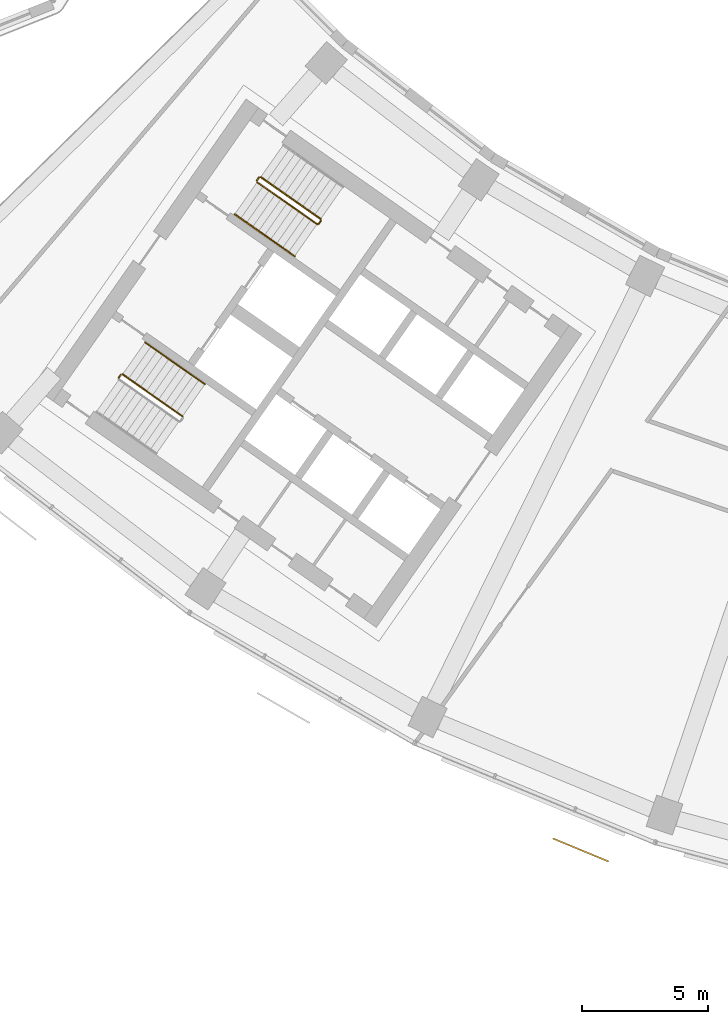
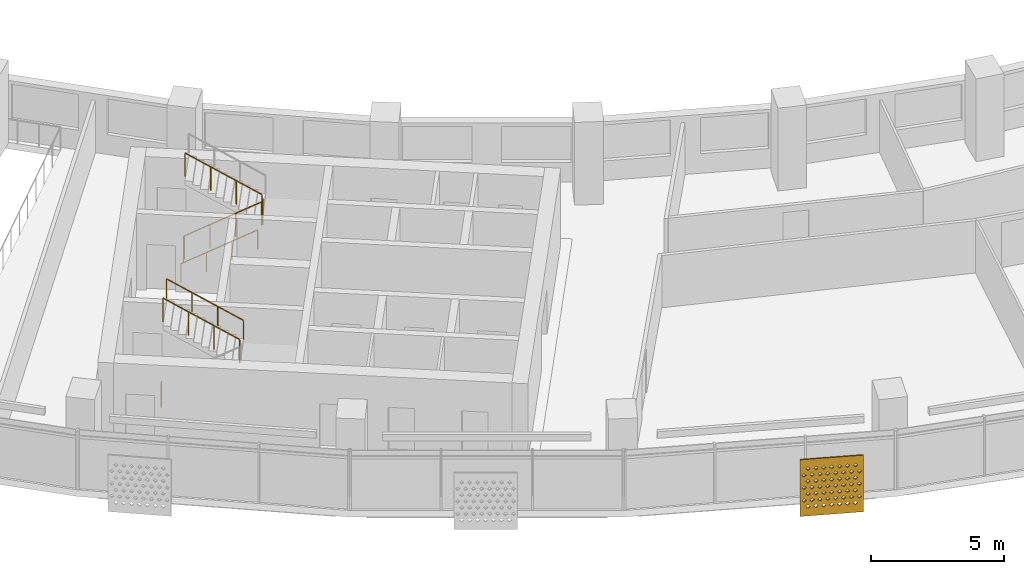
# One storey, part 22 of 27: 7 railings, 1 shading device.
"""IFC4 building model written with IfcOpenShell, lengths in metres."""

from ifc_helpers import new_model, si_unit, direction, frame, origin, origin_2d, place, context, subcontext, project, spatial, polyline, circle, outline, extrude, material, material_profile, profile_set, type_object, element, save


model = new_model("IFC4")

# Units and contexts
model_context = context("Model", 3, precision=1e-05, world=origin(), true_north=direction((0.0, 1.0)))
body_context = subcontext(model_context, "Body", "Model", "MODEL_VIEW")
ifc_project = project(units=[si_unit("LENGTHUNIT", "METRE"), si_unit("AREAUNIT", "SQUARE_METRE"), si_unit("VOLUMEUNIT", "CUBIC_METRE"), si_unit("PLANEANGLEUNIT", "RADIAN"), si_unit("MASSUNIT", "GRAM", prefix="KILO")], contexts=[model_context])

# Site, building, storey
site_placement = place(None, origin())
site = spatial("IfcSite", under=ifc_project, at=site_placement, CompositionType="ELEMENT")
building_placement = place(site_placement, origin())
building = spatial("IfcBuilding", under=site, at=building_placement, Name="Qamariyya Broadcast Tower", CompositionType="ELEMENT")
storey_placement = place(building_placement, frame((0.0, 0.0, 153.10009765625)))
storey = spatial("IfcBuildingStorey", under=building, at=storey_placement, Name="L35", CompositionType="ELEMENT", Elevation=153.10009765625)

# Shading device
ifc_material_1 = material(Name="Perforated glazed terracotta", Category="masonry")
ifc_material_profile = material_profile(ifc_material_1, outline(polyline([(-1.199951171875, -1.300048828125), (1.199951171875, -1.300048828125), (1.199951171875, 1.300048828125), (-1.199951171875, 1.300048828125), (-1.199951171875, -1.300048828125)]), holes=[polyline([(-0.81494140625, -0.86669921875), (-0.89990234375, -0.78173828125), (-0.985107421875, -0.86669921875), (-0.89990234375, -0.95166015625), (-0.81494140625, -0.86669921875)]), polyline([(-0.514892578125, -0.86669921875), (-0.60009765625, -0.78173828125), (-0.68505859375, -0.86669921875), (-0.60009765625, -0.95166015625), (-0.514892578125, -0.86669921875)]), polyline([(-0.215087890625, -0.86669921875), (-0.300048828125, -0.78173828125), (-0.385009765625, -0.86669921875), (-0.300048828125, -0.95166015625), (-0.215087890625, -0.86669921875)]), polyline([(0.0849609375, -0.86669921875), (0.0, -0.78173828125), (-0.0849609375, -0.86669921875), (0.0, -0.95166015625), (0.0849609375, -0.86669921875)]), polyline([(0.385009765625, -0.86669921875), (0.300048828125, -0.78173828125), (0.215087890625, -0.86669921875), (0.300048828125, -0.95166015625), (0.385009765625, -0.86669921875)]), polyline([(0.68505859375, -0.86669921875), (0.60009765625, -0.78173828125), (0.514892578125, -0.86669921875), (0.60009765625, -0.95166015625), (0.68505859375, -0.86669921875)]), polyline([(0.985107421875, -0.86669921875), (0.89990234375, -0.78173828125), (0.81494140625, -0.86669921875), (0.89990234375, -0.95166015625), (0.985107421875, -0.86669921875)]), polyline([(-0.965087890625, -0.577880859375), (-1.050048828125, -0.49267578125), (-1.135009765625, -0.577880859375), (-1.050048828125, -0.662841796875), (-0.965087890625, -0.577880859375)]), polyline([(-0.6650390625, -0.577880859375), (-0.75, -0.49267578125), (-0.8349609375, -0.577880859375), (-0.75, -0.662841796875), (-0.6650390625, -0.577880859375)]), polyline([(-0.364990234375, -0.577880859375), (-0.449951171875, -0.49267578125), (-0.534912109375, -0.577880859375), (-0.449951171875, -0.662841796875), (-0.364990234375, -0.577880859375)]), polyline([(-0.06494140625, -0.577880859375), (-0.14990234375, -0.49267578125), (-0.235107421875, -0.577880859375), (-0.14990234375, -0.662841796875), (-0.06494140625, -0.577880859375)]), polyline([(0.235107421875, -0.577880859375), (0.14990234375, -0.49267578125), (0.06494140625, -0.577880859375), (0.14990234375, -0.662841796875), (0.235107421875, -0.577880859375)]), polyline([(0.534912109375, -0.577880859375), (0.449951171875, -0.49267578125), (0.364990234375, -0.577880859375), (0.449951171875, -0.662841796875), (0.534912109375, -0.577880859375)]), polyline([(0.8349609375, -0.577880859375), (0.75, -0.49267578125), (0.6650390625, -0.577880859375), (0.75, -0.662841796875), (0.8349609375, -0.577880859375)]), polyline([(1.135009765625, -0.577880859375), (1.050048828125, -0.49267578125), (0.965087890625, -0.577880859375), (1.050048828125, -0.662841796875), (1.135009765625, -0.577880859375)]), polyline([(-0.81494140625, -0.288818359375), (-0.89990234375, -0.203857421875), (-0.985107421875, -0.288818359375), (-0.89990234375, -0.373779296875), (-0.81494140625, -0.288818359375)]), polyline([(-0.514892578125, -0.288818359375), (-0.60009765625, -0.203857421875), (-0.68505859375, -0.288818359375), (-0.60009765625, -0.373779296875), (-0.514892578125, -0.288818359375)]), polyline([(-0.215087890625, -0.288818359375), (-0.300048828125, -0.203857421875), (-0.385009765625, -0.288818359375), (-0.300048828125, -0.373779296875), (-0.215087890625, -0.288818359375)]), polyline([(0.0849609375, -0.288818359375), (0.0, -0.203857421875), (-0.0849609375, -0.288818359375), (0.0, -0.373779296875), (0.0849609375, -0.288818359375)]), polyline([(0.385009765625, -0.288818359375), (0.300048828125, -0.203857421875), (0.215087890625, -0.288818359375), (0.300048828125, -0.373779296875), (0.385009765625, -0.288818359375)]), polyline([(0.68505859375, -0.288818359375), (0.60009765625, -0.203857421875), (0.514892578125, -0.288818359375), (0.60009765625, -0.373779296875), (0.68505859375, -0.288818359375)]), polyline([(0.985107421875, -0.288818359375), (0.89990234375, -0.203857421875), (0.81494140625, -0.288818359375), (0.89990234375, -0.373779296875), (0.985107421875, -0.288818359375)]), polyline([(-0.965087890625, 0.0), (-1.050048828125, 0.0849609375), (-1.135009765625, 0.0), (-1.050048828125, -0.0849609375), (-0.965087890625, 0.0)]), polyline([(-0.6650390625, 0.0), (-0.75, 0.0849609375), (-0.8349609375, 0.0), (-0.75, -0.0849609375), (-0.6650390625, 0.0)]), polyline([(-0.364990234375, 0.0), (-0.449951171875, 0.0849609375), (-0.534912109375, 0.0), (-0.449951171875, -0.0849609375), (-0.364990234375, 0.0)]), polyline([(-0.06494140625, 0.0), (-0.14990234375, 0.0849609375), (-0.235107421875, 0.0), (-0.14990234375, -0.0849609375), (-0.06494140625, 0.0)]), polyline([(0.235107421875, 0.0), (0.14990234375, 0.0849609375), (0.06494140625, 0.0), (0.14990234375, -0.0849609375), (0.235107421875, 0.0)]), polyline([(0.534912109375, 0.0), (0.449951171875, 0.0849609375), (0.364990234375, 0.0), (0.449951171875, -0.0849609375), (0.534912109375, 0.0)]), polyline([(0.8349609375, 0.0), (0.75, 0.0849609375), (0.6650390625, 0.0), (0.75, -0.0849609375), (0.8349609375, 0.0)]), polyline([(1.135009765625, 0.0), (1.050048828125, 0.0849609375), (0.965087890625, 0.0), (1.050048828125, -0.0849609375), (1.135009765625, 0.0)]), polyline([(-0.81494140625, 0.288818359375), (-0.89990234375, 0.373779296875), (-0.985107421875, 0.288818359375), (-0.89990234375, 0.203857421875), (-0.81494140625, 0.288818359375)]), polyline([(-0.514892578125, 0.288818359375), (-0.60009765625, 0.373779296875), (-0.68505859375, 0.288818359375), (-0.60009765625, 0.203857421875), (-0.514892578125, 0.288818359375)]), polyline([(-0.215087890625, 0.288818359375), (-0.300048828125, 0.373779296875), (-0.385009765625, 0.288818359375), (-0.300048828125, 0.203857421875), (-0.215087890625, 0.288818359375)]), polyline([(0.0849609375, 0.288818359375), (0.0, 0.373779296875), (-0.0849609375, 0.288818359375), (0.0, 0.203857421875), (0.0849609375, 0.288818359375)]), polyline([(0.385009765625, 0.288818359375), (0.300048828125, 0.373779296875), (0.215087890625, 0.288818359375), (0.300048828125, 0.203857421875), (0.385009765625, 0.288818359375)]), polyline([(0.68505859375, 0.288818359375), (0.60009765625, 0.373779296875), (0.514892578125, 0.288818359375), (0.60009765625, 0.203857421875), (0.68505859375, 0.288818359375)]), polyline([(0.985107421875, 0.288818359375), (0.89990234375, 0.373779296875), (0.81494140625, 0.288818359375), (0.89990234375, 0.203857421875), (0.985107421875, 0.288818359375)]), polyline([(-0.965087890625, 0.577880859375), (-1.050048828125, 0.662841796875), (-1.135009765625, 0.577880859375), (-1.050048828125, 0.49267578125), (-0.965087890625, 0.577880859375)]), polyline([(-0.6650390625, 0.577880859375), (-0.75, 0.662841796875), (-0.8349609375, 0.577880859375), (-0.75, 0.49267578125), (-0.6650390625, 0.577880859375)]), polyline([(-0.364990234375, 0.577880859375), (-0.449951171875, 0.662841796875), (-0.534912109375, 0.577880859375), (-0.449951171875, 0.49267578125), (-0.364990234375, 0.577880859375)]), polyline([(-0.06494140625, 0.577880859375), (-0.14990234375, 0.662841796875), (-0.235107421875, 0.577880859375), (-0.14990234375, 0.49267578125), (-0.06494140625, 0.577880859375)]), polyline([(0.235107421875, 0.577880859375), (0.14990234375, 0.662841796875), (0.06494140625, 0.577880859375), (0.14990234375, 0.49267578125), (0.235107421875, 0.577880859375)]), polyline([(0.534912109375, 0.577880859375), (0.449951171875, 0.662841796875), (0.364990234375, 0.577880859375), (0.449951171875, 0.49267578125), (0.534912109375, 0.577880859375)]), polyline([(0.8349609375, 0.577880859375), (0.75, 0.662841796875), (0.6650390625, 0.577880859375), (0.75, 0.49267578125), (0.8349609375, 0.577880859375)]), polyline([(1.135009765625, 0.577880859375), (1.050048828125, 0.662841796875), (0.965087890625, 0.577880859375), (1.050048828125, 0.49267578125), (1.135009765625, 0.577880859375)]), polyline([(-0.81494140625, 0.86669921875), (-0.89990234375, 0.95166015625), (-0.985107421875, 0.86669921875), (-0.89990234375, 0.78173828125), (-0.81494140625, 0.86669921875)]), polyline([(-0.514892578125, 0.86669921875), (-0.60009765625, 0.95166015625), (-0.68505859375, 0.86669921875), (-0.60009765625, 0.78173828125), (-0.514892578125, 0.86669921875)]), polyline([(-0.215087890625, 0.86669921875), (-0.300048828125, 0.95166015625), (-0.385009765625, 0.86669921875), (-0.300048828125, 0.78173828125), (-0.215087890625, 0.86669921875)]), polyline([(0.0849609375, 0.86669921875), (0.0, 0.95166015625), (-0.0849609375, 0.86669921875), (0.0, 0.78173828125), (0.0849609375, 0.86669921875)]), polyline([(0.385009765625, 0.86669921875), (0.300048828125, 0.95166015625), (0.215087890625, 0.86669921875), (0.300048828125, 0.78173828125), (0.385009765625, 0.86669921875)]), polyline([(0.68505859375, 0.86669921875), (0.60009765625, 0.95166015625), (0.514892578125, 0.86669921875), (0.60009765625, 0.78173828125), (0.68505859375, 0.86669921875)]), polyline([(0.985107421875, 0.86669921875), (0.89990234375, 0.95166015625), (0.81494140625, 0.86669921875), (0.89990234375, 0.78173828125), (0.985107421875, 0.86669921875)])]))
ifc_profile_set = profile_set([ifc_material_profile], Name="Perforated glazed terracotta")
shading_device_type = type_object("IfcShadingDeviceType", Name="Perforated terracotta screen 2400 x 2600", PredefinedType="USERDEFINED", material=ifc_profile_set)
shading_device_placement = place(storey_placement, frame((-28.304931640625, -74.976318359375, 1.349853515625), z_axis=(-0.382591441855, -0.923917630863, 0.0), x_axis=(0.923917630863, -0.382591441855, 0.0)))
element("IfcShadingDevice", 1, at=shading_device_placement, inside=storey, type_object=shading_device_type, Name="e-scr-L35-04-2", ObjectType="SCREEN", PredefinedType="USERDEFINED", context=body_context, shape_type="SweptSolid", body=[
    extrude(outline(polyline([(-1.199951171875, -1.300048828125), (1.199951171875, -1.300048828125), (1.199951171875, 1.300048828125), (-1.199951171875, 1.300048828125), (-1.199951171875, -1.300048828125)]), holes=[polyline([(-0.81494140625, -0.86669921875), (-0.89990234375, -0.78173828125), (-0.985107421875, -0.86669921875), (-0.89990234375, -0.95166015625), (-0.81494140625, -0.86669921875)]), polyline([(-0.514892578125, -0.86669921875), (-0.60009765625, -0.78173828125), (-0.68505859375, -0.86669921875), (-0.60009765625, -0.95166015625), (-0.514892578125, -0.86669921875)]), polyline([(-0.215087890625, -0.86669921875), (-0.300048828125, -0.78173828125), (-0.385009765625, -0.86669921875), (-0.300048828125, -0.95166015625), (-0.215087890625, -0.86669921875)]), polyline([(0.0849609375, -0.86669921875), (0.0, -0.78173828125), (-0.0849609375, -0.86669921875), (0.0, -0.95166015625), (0.0849609375, -0.86669921875)]), polyline([(0.385009765625, -0.86669921875), (0.300048828125, -0.78173828125), (0.215087890625, -0.86669921875), (0.300048828125, -0.95166015625), (0.385009765625, -0.86669921875)]), polyline([(0.68505859375, -0.86669921875), (0.60009765625, -0.78173828125), (0.514892578125, -0.86669921875), (0.60009765625, -0.95166015625), (0.68505859375, -0.86669921875)]), polyline([(0.985107421875, -0.86669921875), (0.89990234375, -0.78173828125), (0.81494140625, -0.86669921875), (0.89990234375, -0.95166015625), (0.985107421875, -0.86669921875)]), polyline([(-0.965087890625, -0.577880859375), (-1.050048828125, -0.49267578125), (-1.135009765625, -0.577880859375), (-1.050048828125, -0.662841796875), (-0.965087890625, -0.577880859375)]), polyline([(-0.6650390625, -0.577880859375), (-0.75, -0.49267578125), (-0.8349609375, -0.577880859375), (-0.75, -0.662841796875), (-0.6650390625, -0.577880859375)]), polyline([(-0.364990234375, -0.577880859375), (-0.449951171875, -0.49267578125), (-0.534912109375, -0.577880859375), (-0.449951171875, -0.662841796875), (-0.364990234375, -0.577880859375)]), polyline([(-0.06494140625, -0.577880859375), (-0.14990234375, -0.49267578125), (-0.235107421875, -0.577880859375), (-0.14990234375, -0.662841796875), (-0.06494140625, -0.577880859375)]), polyline([(0.235107421875, -0.577880859375), (0.14990234375, -0.49267578125), (0.06494140625, -0.577880859375), (0.14990234375, -0.662841796875), (0.235107421875, -0.577880859375)]), polyline([(0.534912109375, -0.577880859375), (0.449951171875, -0.49267578125), (0.364990234375, -0.577880859375), (0.449951171875, -0.662841796875), (0.534912109375, -0.577880859375)]), polyline([(0.8349609375, -0.577880859375), (0.75, -0.49267578125), (0.6650390625, -0.577880859375), (0.75, -0.662841796875), (0.8349609375, -0.577880859375)]), polyline([(1.135009765625, -0.577880859375), (1.050048828125, -0.49267578125), (0.965087890625, -0.577880859375), (1.050048828125, -0.662841796875), (1.135009765625, -0.577880859375)]), polyline([(-0.81494140625, -0.288818359375), (-0.89990234375, -0.203857421875), (-0.985107421875, -0.288818359375), (-0.89990234375, -0.373779296875), (-0.81494140625, -0.288818359375)]), polyline([(-0.514892578125, -0.288818359375), (-0.60009765625, -0.203857421875), (-0.68505859375, -0.288818359375), (-0.60009765625, -0.373779296875), (-0.514892578125, -0.288818359375)]), polyline([(-0.215087890625, -0.288818359375), (-0.300048828125, -0.203857421875), (-0.385009765625, -0.288818359375), (-0.300048828125, -0.373779296875), (-0.215087890625, -0.288818359375)]), polyline([(0.0849609375, -0.288818359375), (0.0, -0.203857421875), (-0.0849609375, -0.288818359375), (0.0, -0.373779296875), (0.0849609375, -0.288818359375)]), polyline([(0.385009765625, -0.288818359375), (0.300048828125, -0.203857421875), (0.215087890625, -0.288818359375), (0.300048828125, -0.373779296875), (0.385009765625, -0.288818359375)]), polyline([(0.68505859375, -0.288818359375), (0.60009765625, -0.203857421875), (0.514892578125, -0.288818359375), (0.60009765625, -0.373779296875), (0.68505859375, -0.288818359375)]), polyline([(0.985107421875, -0.288818359375), (0.89990234375, -0.203857421875), (0.81494140625, -0.288818359375), (0.89990234375, -0.373779296875), (0.985107421875, -0.288818359375)]), polyline([(-0.965087890625, 0.0), (-1.050048828125, 0.0849609375), (-1.135009765625, 0.0), (-1.050048828125, -0.0849609375), (-0.965087890625, 0.0)]), polyline([(-0.6650390625, 0.0), (-0.75, 0.0849609375), (-0.8349609375, 0.0), (-0.75, -0.0849609375), (-0.6650390625, 0.0)]), polyline([(-0.364990234375, 0.0), (-0.449951171875, 0.0849609375), (-0.534912109375, 0.0), (-0.449951171875, -0.0849609375), (-0.364990234375, 0.0)]), polyline([(-0.06494140625, 0.0), (-0.14990234375, 0.0849609375), (-0.235107421875, 0.0), (-0.14990234375, -0.0849609375), (-0.06494140625, 0.0)]), polyline([(0.235107421875, 0.0), (0.14990234375, 0.0849609375), (0.06494140625, 0.0), (0.14990234375, -0.0849609375), (0.235107421875, 0.0)]), polyline([(0.534912109375, 0.0), (0.449951171875, 0.0849609375), (0.364990234375, 0.0), (0.449951171875, -0.0849609375), (0.534912109375, 0.0)]), polyline([(0.8349609375, 0.0), (0.75, 0.0849609375), (0.6650390625, 0.0), (0.75, -0.0849609375), (0.8349609375, 0.0)]), polyline([(1.135009765625, 0.0), (1.050048828125, 0.0849609375), (0.965087890625, 0.0), (1.050048828125, -0.0849609375), (1.135009765625, 0.0)]), polyline([(-0.81494140625, 0.288818359375), (-0.89990234375, 0.373779296875), (-0.985107421875, 0.288818359375), (-0.89990234375, 0.203857421875), (-0.81494140625, 0.288818359375)]), polyline([(-0.514892578125, 0.288818359375), (-0.60009765625, 0.373779296875), (-0.68505859375, 0.288818359375), (-0.60009765625, 0.203857421875), (-0.514892578125, 0.288818359375)]), polyline([(-0.215087890625, 0.288818359375), (-0.300048828125, 0.373779296875), (-0.385009765625, 0.288818359375), (-0.300048828125, 0.203857421875), (-0.215087890625, 0.288818359375)]), polyline([(0.0849609375, 0.288818359375), (0.0, 0.373779296875), (-0.0849609375, 0.288818359375), (0.0, 0.203857421875), (0.0849609375, 0.288818359375)]), polyline([(0.385009765625, 0.288818359375), (0.300048828125, 0.373779296875), (0.215087890625, 0.288818359375), (0.300048828125, 0.203857421875), (0.385009765625, 0.288818359375)]), polyline([(0.68505859375, 0.288818359375), (0.60009765625, 0.373779296875), (0.514892578125, 0.288818359375), (0.60009765625, 0.203857421875), (0.68505859375, 0.288818359375)]), polyline([(0.985107421875, 0.288818359375), (0.89990234375, 0.373779296875), (0.81494140625, 0.288818359375), (0.89990234375, 0.203857421875), (0.985107421875, 0.288818359375)]), polyline([(-0.965087890625, 0.577880859375), (-1.050048828125, 0.662841796875), (-1.135009765625, 0.577880859375), (-1.050048828125, 0.49267578125), (-0.965087890625, 0.577880859375)]), polyline([(-0.6650390625, 0.577880859375), (-0.75, 0.662841796875), (-0.8349609375, 0.577880859375), (-0.75, 0.49267578125), (-0.6650390625, 0.577880859375)]), polyline([(-0.364990234375, 0.577880859375), (-0.449951171875, 0.662841796875), (-0.534912109375, 0.577880859375), (-0.449951171875, 0.49267578125), (-0.364990234375, 0.577880859375)]), polyline([(-0.06494140625, 0.577880859375), (-0.14990234375, 0.662841796875), (-0.235107421875, 0.577880859375), (-0.14990234375, 0.49267578125), (-0.06494140625, 0.577880859375)]), polyline([(0.235107421875, 0.577880859375), (0.14990234375, 0.662841796875), (0.06494140625, 0.577880859375), (0.14990234375, 0.49267578125), (0.235107421875, 0.577880859375)]), polyline([(0.534912109375, 0.577880859375), (0.449951171875, 0.662841796875), (0.364990234375, 0.577880859375), (0.449951171875, 0.49267578125), (0.534912109375, 0.577880859375)]), polyline([(0.8349609375, 0.577880859375), (0.75, 0.662841796875), (0.6650390625, 0.577880859375), (0.75, 0.49267578125), (0.8349609375, 0.577880859375)]), polyline([(1.135009765625, 0.577880859375), (1.050048828125, 0.662841796875), (0.965087890625, 0.577880859375), (1.050048828125, 0.49267578125), (1.135009765625, 0.577880859375)]), polyline([(-0.81494140625, 0.86669921875), (-0.89990234375, 0.95166015625), (-0.985107421875, 0.86669921875), (-0.89990234375, 0.78173828125), (-0.81494140625, 0.86669921875)]), polyline([(-0.514892578125, 0.86669921875), (-0.60009765625, 0.95166015625), (-0.68505859375, 0.86669921875), (-0.60009765625, 0.78173828125), (-0.514892578125, 0.86669921875)]), polyline([(-0.215087890625, 0.86669921875), (-0.300048828125, 0.95166015625), (-0.385009765625, 0.86669921875), (-0.300048828125, 0.78173828125), (-0.215087890625, 0.86669921875)]), polyline([(0.0849609375, 0.86669921875), (0.0, 0.95166015625), (-0.0849609375, 0.86669921875), (0.0, 0.78173828125), (0.0849609375, 0.86669921875)]), polyline([(0.385009765625, 0.86669921875), (0.300048828125, 0.95166015625), (0.215087890625, 0.86669921875), (0.300048828125, 0.78173828125), (0.385009765625, 0.86669921875)]), polyline([(0.68505859375, 0.86669921875), (0.60009765625, 0.95166015625), (0.514892578125, 0.86669921875), (0.60009765625, 0.78173828125), (0.68505859375, 0.86669921875)]), polyline([(0.985107421875, 0.86669921875), (0.89990234375, 0.95166015625), (0.81494140625, 0.86669921875), (0.89990234375, 0.78173828125), (0.985107421875, 0.86669921875)])]), origin(), (0.0, 0.0, 1.0), 0.06005859375),
])

# Railings
ifc_material_2 = material(Name="Painted steel", Category="steel")
railing_type_1 = type_object("IfcRailingType", Name="Stair guard", PredefinedType="GUARDRAIL", material=ifc_material_2)
railing_1_placement = place(storey_placement, frame((-41.146728515625, -48.52490234375, 0.172607421875)))
element("IfcRailing", 2, at=railing_1_placement, inside=storey, type_object=railing_type_1, Name="L35 ST-W2 stair guard 1", PredefinedType="GUARDRAIL", context=body_context, shape_type="SweptSolid", body=[
    extrude(circle(Radius=0.02392578125, at=origin_2d()), frame((0.0, 0.0, 1.076171875), z_axis=(0.703770094002, -0.492783725636, 0.511734163933), x_axis=(0.573575343427, 0.819152809562, 0.0)), (0.0, 0.0, 1.0), 3.37548828125),
    extrude(circle(Radius=0.02392578125, at=origin_2d()), frame((2.37548828125, -1.663330078125, 2.80322265625), z_axis=(0.985059694769, 0.172213233351, 0.0), x_axis=(-0.172213233351, 0.985059694769, 0.0)), (0.0, 0.0, 1.0), 0.07080078125),
    extrude(circle(Radius=0.02392578125, at=origin_2d()), frame((2.4453125, -1.651123046875, 2.80322265625), z_axis=(0.572588637393, 0.819842821722, 0.0), x_axis=(-0.819842821722, 0.572588637393, 0.0)), (0.0, 0.0, 1.0), 0.150146484375),
    extrude(circle(Radius=0.02099609375, at=origin_2d()), origin(), (0.0, 0.0, 1.0), 1.052001953125),
    extrude(circle(Radius=0.02099609375, at=origin_2d()), frame((0.791748046875, -0.554443359375, 0.57568359375)), (0.0, 0.0, 1.0), 1.052001953125),
    extrude(circle(Radius=0.02099609375, at=origin_2d()), frame((1.583740234375, -1.10888671875, 1.151611328125)), (0.0, 0.0, 1.0), 1.052001953125),
    extrude(circle(Radius=0.02099609375, at=origin_2d()), frame((2.37548828125, -1.663330078125, 1.727294921875)), (0.0, 0.0, 1.0), 1.052001953125),
    extrude(circle(Radius=0.02099609375, at=origin_2d()), frame((2.4453125, -1.651123046875, 1.727294921875)), (0.0, 0.0, 1.0), 1.052001953125),
    extrude(circle(Radius=0.02099609375, at=origin_2d()), frame((2.53125, -1.528076171875, 1.727294921875)), (0.0, 0.0, 1.0), 1.052001953125),
])
railing_2_placement = place(storey_placement, frame((-38.627685546875, -49.9833984375, 2.072509765625)))
element("IfcRailing", 3, at=railing_2_placement, inside=storey, type_object=railing_type_1, Name="L35 ST-W2 stair guard 2", PredefinedType="GUARDRAIL", context=body_context, shape_type="SweptSolid", body=[
    extrude(circle(Radius=0.02392578125, at=origin_2d()), frame((0.0, 0.0, 1.076171875), z_axis=(-0.703770094002, 0.492783725636, 0.511734163933), x_axis=(-0.573575343427, -0.819152809562, 0.0)), (0.0, 0.0, 1.0), 3.37548828125),
    extrude(circle(Radius=0.02099609375, at=origin_2d()), origin(), (0.0, 0.0, 1.0), 1.052001953125),
    extrude(circle(Radius=0.02099609375, at=origin_2d()), frame((-0.791748046875, 0.554443359375, 0.57568359375)), (0.0, 0.0, 1.0), 1.052001953125),
    extrude(circle(Radius=0.02099609375, at=origin_2d()), frame((-1.583740234375, 1.10888671875, 1.151611328125)), (0.0, 0.0, 1.0), 1.052001953125),
    extrude(circle(Radius=0.02099609375, at=origin_2d()), frame((-2.37548828125, 1.663330078125, 1.727294921875)), (0.0, 0.0, 1.0), 1.052001953125),
])
railing_3_placement = place(storey_placement, frame((-41.158935546875, -48.455322265625, 0.0)))
element("IfcRailing", 4, at=railing_3_placement, inside=storey, type_object=railing_type_1, Name="L35 ST-W2 stair guard 3", PredefinedType="GUARDRAIL", context=body_context, shape_type="SweptSolid", body=[
    extrude(circle(Radius=0.02392578125, at=origin_2d()), frame((0.0, 0.0, 1.076171875), z_axis=(0.572588637393, 0.819842821722, 0.0), x_axis=(-0.819842821722, 0.572588637393, 0.0)), (0.0, 0.0, 1.0), 0.150146484375),
    extrude(circle(Radius=0.02099609375, at=origin_2d()), origin(), (0.0, 0.0, 1.0), 1.052001953125),
    extrude(circle(Radius=0.02099609375, at=origin_2d()), frame((0.0859375, 0.123046875, 0.0)), (0.0, 0.0, 1.0), 1.052001953125),
])
railing_4_placement = place(storey_placement, frame((-44.10546875, -57.806396484375, 2.072509765625)))
element("IfcRailing", 5, at=railing_4_placement, inside=storey, type_object=railing_type_1, Name="L35 ST-W1 stair guard 2", PredefinedType="GUARDRAIL", context=body_context, shape_type="SweptSolid", body=[
    extrude(circle(Radius=0.02392578125, at=origin_2d()), frame((0.0, 0.0, 1.076171875), z_axis=(-0.703770094002, 0.492783725636, 0.511734163933), x_axis=(-0.573575343427, -0.819152809562, 0.0)), (0.0, 0.0, 1.0), 3.37548828125),
    extrude(circle(Radius=0.02099609375, at=origin_2d()), origin(), (0.0, 0.0, 1.0), 1.052001953125),
    extrude(circle(Radius=0.02099609375, at=origin_2d()), frame((-0.791748046875, 0.554443359375, 0.57568359375)), (0.0, 0.0, 1.0), 1.052001953125),
    extrude(circle(Radius=0.02099609375, at=origin_2d()), frame((-1.583740234375, 1.10888671875, 1.151611328125)), (0.0, 0.0, 1.0), 1.052001953125),
    extrude(circle(Radius=0.02099609375, at=origin_2d()), frame((-2.37548828125, 1.663330078125, 1.727294921875)), (0.0, 0.0, 1.0), 1.052001953125),
])
railing_5_placement = place(storey_placement, frame((-46.63671875, -56.278076171875, 0.0)))
element("IfcRailing", 6, at=railing_5_placement, inside=storey, type_object=railing_type_1, Name="L35 ST-W1 stair guard 3", PredefinedType="GUARDRAIL", context=body_context, shape_type="SweptSolid", body=[
    extrude(circle(Radius=0.02392578125, at=origin_2d()), frame((0.0, 0.0, 1.076171875), z_axis=(0.574444878118, 0.818543268254, 0.0), x_axis=(-0.818543268254, 0.574444878118, 0.0)), (0.0, 0.0, 1.0), 0.150146484375),
    extrude(circle(Radius=0.02099609375, at=origin_2d()), origin(), (0.0, 0.0, 1.0), 1.052001953125),
    extrude(circle(Radius=0.02099609375, at=origin_2d()), frame((0.086181640625, 0.122802734375, 0.0)), (0.0, 0.0, 1.0), 1.052001953125),
])
ifc_material_3 = material(Name="Stainless steel", Category="steel")
railing_type_2 = type_object("IfcRailingType", Name="Stair handrail", PredefinedType="HANDRAIL", material=ifc_material_3)
railing_6_placement = place(storey_placement, frame((-42.03564453125, -49.79443359375, 0.172607421875)))
element("IfcRailing", 7, at=railing_6_placement, inside=storey, type_object=railing_type_2, Name="L35 ST-W2 stair handrail 1", PredefinedType="HANDRAIL", context=body_context, shape_type="SweptSolid", body=[
    extrude(circle(Radius=0.02392578125, at=origin_2d()), frame((0.0, 0.0, 0.8759765625), z_axis=(0.703745009021, -0.492838488332, 0.511715923826), x_axis=(0.573631830683, 0.819113253969, 0.0)), (0.0, 0.0, 1.0), 3.37548828125),
    extrude(circle(Radius=0.02099609375, at=origin_2d()), origin(), (0.0, 0.0, 1.0), 0.851806640625),
    extrude(circle(Radius=0.02099609375, at=origin_2d()), frame((0.791748046875, -0.554443359375, 0.57568359375)), (0.0, 0.0, 1.0), 0.851806640625),
    extrude(circle(Radius=0.02099609375, at=origin_2d()), frame((1.583740234375, -1.109130859375, 1.151611328125)), (0.0, 0.0, 1.0), 0.851806640625),
    extrude(circle(Radius=0.02099609375, at=origin_2d()), frame((2.37548828125, -1.66357421875, 1.727294921875)), (0.0, 0.0, 1.0), 0.851806640625),
])
railing_7_placement = place(storey_placement, frame((-43.21630859375, -56.53662109375, 2.072509765625)))
element("IfcRailing", 8, at=railing_7_placement, inside=storey, type_object=railing_type_2, Name="L35 ST-W1 stair handrail 2", PredefinedType="HANDRAIL", context=body_context, shape_type="SweptSolid", body=[
    extrude(circle(Radius=0.02392578125, at=origin_2d()), frame((0.0, 0.0, 0.8759765625), z_axis=(-0.703770094002, 0.492783725636, 0.511734163933), x_axis=(-0.573575343427, -0.819152809562, 0.0)), (0.0, 0.0, 1.0), 3.37548828125),
    extrude(circle(Radius=0.02099609375, at=origin_2d()), origin(), (0.0, 0.0, 1.0), 0.851806640625),
    extrude(circle(Radius=0.02099609375, at=origin_2d()), frame((-0.791748046875, 0.554443359375, 0.57568359375)), (0.0, 0.0, 1.0), 0.851806640625),
    extrude(circle(Radius=0.02099609375, at=origin_2d()), frame((-1.583740234375, 1.10888671875, 1.151611328125)), (0.0, 0.0, 1.0), 0.851806640625),
    extrude(circle(Radius=0.02099609375, at=origin_2d()), frame((-2.37548828125, 1.663330078125, 1.727294921875)), (0.0, 0.0, 1.0), 0.851806640625),
])

save(model, "model.ifc")
